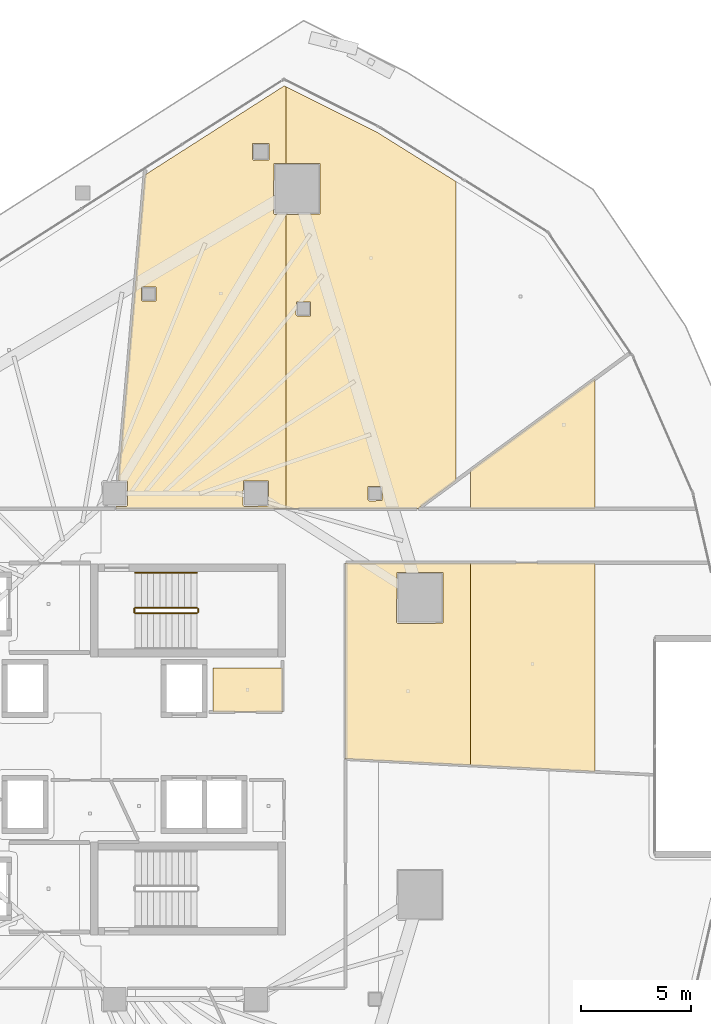
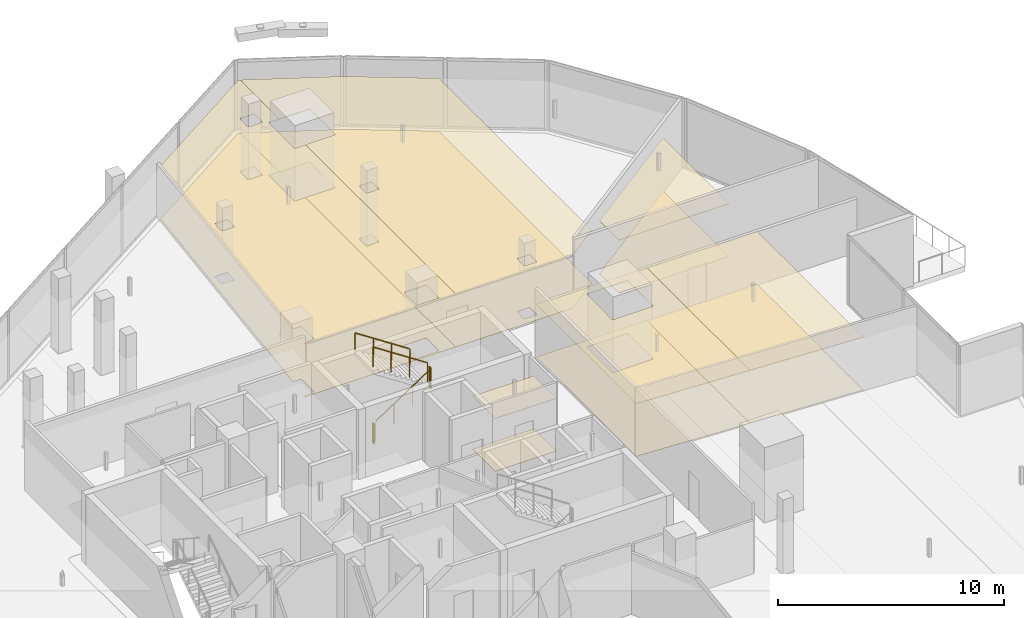
# One storey, part 37 of 38: 12 coverings, 5 railings.
"""IFC4 building model written with IfcOpenShell, lengths in metres."""

from ifc_helpers import new_model, si_unit, direction, frame, origin, origin_2d, place, context, subcontext, project, spatial, polyline, circle, outline, extrude, material, layer, layer_set, type_object, element, save


model = new_model("IFC4")

# Units and contexts
model_context = context("Model", 3, precision=1e-05, world=origin(), true_north=direction((0.0, 1.0)))
body_context = subcontext(model_context, "Body", "Model", "MODEL_VIEW")
ifc_project = project(units=[si_unit("LENGTHUNIT", "METRE"), si_unit("AREAUNIT", "SQUARE_METRE"), si_unit("VOLUMEUNIT", "CUBIC_METRE"), si_unit("PLANEANGLEUNIT", "RADIAN"), si_unit("MASSUNIT", "GRAM", prefix="KILO")], contexts=[model_context])

# Site, building, storey
site_placement = place(None, origin())
site = spatial("IfcSite", under=ifc_project, at=site_placement, CompositionType="ELEMENT")
building_placement = place(site_placement, origin())
building = spatial("IfcBuilding", under=site, at=building_placement, Name="Qorvath Tower", CompositionType="ELEMENT")
storey_placement = place(building_placement, frame((0.0, 0.0, 134.10009765625)))
storey = spatial("IfcBuildingStorey", under=building, at=storey_placement, Name="L30", CompositionType="ELEMENT", Elevation=134.10009765625)

# Coverings
ifc_material_1 = material(Name="Acoustic mineral fibre ceiling tile", Category="gypsum")
ifc_layer_1 = layer(ifc_material_1, 0.030029296875)
ifc_layer_set_1 = layer_set([ifc_layer_1], Name="COV-CEIL")
covering_type_1 = type_object("IfcCoveringType", Name="COV-CEIL", PredefinedType="CEILING", material=ifc_layer_set_1)
covering_1_placement = place(storey_placement, frame((0.0, 0.0, 2.849853515625)))
element("IfcCovering", 1, at=covering_1_placement, inside=storey, type_object=covering_type_1, Name="L30 Suspended Acoustic Ceiling 003", PredefinedType="CEILING", context=body_context, shape_type="SweptSolid", body=[
    extrude(outline(polyline([(-16.0048828125, 3.56005859375), (-19.139892578125, 3.56005859375), (-19.139892578125, 1.56494140625), (-16.0048828125, 1.56494140625), (-16.0048828125, 3.56005859375)])), origin(), (0.0, 0.0, 1.0), 0.030029296875),
])
covering_2_placement = place(storey_placement, frame((0.0, 0.0, 2.849853515625)))
element("IfcCovering", 2, at=covering_2_placement, inside=storey, type_object=covering_type_1, Name="L30 Suspended Acoustic Ceiling 023", PredefinedType="CEILING", context=body_context, shape_type="SweptSolid", body=[
    extrude(outline(polyline([(-7.492431640625, -0.853515625), (-7.492431640625, 8.3076171875), (-13.136962890625, 8.306884765625), (-13.136962890625, -0.56591796875), (-7.492431640625, -0.853515625)]), holes=[polyline([(-10.830322265625, 5.621337890625), (-10.812744140625, 7.86376953125), (-8.727783203125, 7.86376953125), (-8.727783203125, 5.578857421875), (-10.770263671875, 5.561279296875), (-10.830322265625, 5.621337890625)])]), origin(), (0.0, 0.0, 1.0), 0.030029296875),
])
covering_3_placement = place(storey_placement, frame((0.0, 0.0, 2.849853515625)))
element("IfcCovering", 3, at=covering_3_placement, inside=storey, type_object=covering_type_1, Name="L30 Suspended Acoustic Ceiling 024", PredefinedType="CEILING", context=body_context, shape_type="SweptSolid", body=[
    extrude(outline(polyline([(-1.84765625, -1.14111328125), (-1.84765625, 8.308349609375), (-7.492431640625, 8.3076171875), (-7.492431640625, -0.853515625), (-1.84765625, -1.14111328125)])), origin(), (0.0, 0.0, 1.0), 0.030029296875),
])
covering_4_placement = place(storey_placement, frame((0.0, 0.0, 2.849853515625)))
element("IfcCovering", 4, at=covering_4_placement, inside=storey, type_object=covering_type_1, Name="L30 Suspended Acoustic Ceiling 025", PredefinedType="CEILING", context=body_context, shape_type="SweptSolid", body=[
    extrude(outline(polyline([(-1.84765625, 10.762939453125), (-1.84765625, 16.640869140625), (-7.492431640625, 12.49267578125), (-7.492431640625, 10.762939453125), (-1.84765625, 10.762939453125)])), origin(), (0.0, 0.0, 1.0), 0.030029296875),
])
covering_5_placement = place(storey_placement, frame((0.0, 0.0, 2.849853515625)))
element("IfcCovering", 5, at=covering_5_placement, inside=storey, type_object=covering_type_1, Name="L30 Suspended Acoustic Ceiling 026", PredefinedType="CEILING", context=body_context, shape_type="SweptSolid", body=[
    extrude(outline(polyline([(-15.91552734375, 29.914794921875), (-22.222412109375, 25.8837890625), (-23.43408203125, 12.034912109375), (-23.074951171875, 12.034912109375), (-23.014892578125, 11.97509765625), (-23.014892578125, 10.925048828125), (-23.074951171875, 10.864990234375), (-23.536376953125, 10.864990234375), (-23.54541015625, 10.762939453125), (-15.84619140625, 10.762939453125), (-15.84619140625, 24.09033203125), (-16.34423828125, 24.086181640625), (-16.404296875, 24.14599609375), (-16.38671875, 26.388427734375), (-15.84619140625, 26.388427734375), (-15.84619140625, 29.880126953125), (-15.91552734375, 29.914794921875)]), holes=[polyline([(-17.3662109375, 26.604248046875), (-17.3486328125, 27.296630859375), (-16.61376953125, 27.296630859375), (-16.61376953125, 26.561767578125), (-17.30615234375, 26.544189453125), (-17.3662109375, 26.604248046875)]), polyline([(-17.784912109375, 10.925048828125), (-17.767333984375, 12.017333984375), (-16.632568359375, 12.017333984375), (-16.632568359375, 10.882568359375), (-17.72509765625, 10.864990234375), (-17.784912109375, 10.925048828125)]), polyline([(-22.38818359375, 20.219970703125), (-22.37060546875, 20.812255859375), (-21.73583984375, 20.812255859375), (-21.73583984375, 20.177490234375), (-22.328125, 20.159912109375), (-22.38818359375, 20.219970703125)])]), origin(), (0.0, 0.0, 1.0), 0.030029296875),
])
covering_6_placement = place(storey_placement, frame((0.0, 0.0, 2.849853515625)))
element("IfcCovering", 6, at=covering_6_placement, inside=storey, type_object=covering_type_1, Name="L30 Suspended Acoustic Ceiling 027", PredefinedType="CEILING", context=body_context, shape_type="SweptSolid", body=[
    extrude(outline(polyline([(-15.84619140625, 29.880126953125), (-15.84619140625, 26.388427734375), (-14.3017578125, 26.388427734375), (-14.3017578125, 24.103759765625), (-15.84619140625, 24.09033203125), (-15.84619140625, 10.762939453125), (-9.876220703125, 10.762939453125), (-8.147216796875, 12.03369140625), (-8.147216796875, 25.584716796875), (-11.740234375, 27.8271484375), (-15.84619140625, 29.880126953125)]), holes=[polyline([(-12.135009765625, 11.175048828125), (-12.117431640625, 11.767333984375), (-11.482666015625, 11.767333984375), (-11.482666015625, 11.132568359375), (-12.074951171875, 11.114990234375), (-12.135009765625, 11.175048828125)]), polyline([(-15.381103515625, 19.543212890625), (-15.363525390625, 20.135498046875), (-14.728759765625, 20.135498046875), (-14.728759765625, 19.500732421875), (-15.321044921875, 19.483154296875), (-15.381103515625, 19.543212890625)])]), origin(), (0.0, 0.0, 1.0), 0.030029296875),
])
ifc_material_2 = material(Name="Low-VOC modular carpet tile", Category="textile")
ifc_layer_2 = layer(ifc_material_2, 0.014892578125)
ifc_layer_set_2 = layer_set([ifc_layer_2], Name="COV-FLOOR-CPT")
covering_type_2 = type_object("IfcCoveringType", Name="COV-FLOOR-CPT", PredefinedType="FLOORING", material=ifc_layer_set_2)
covering_7_placement = place(storey_placement, origin())
element("IfcCovering", 7, at=covering_7_placement, inside=storey, type_object=covering_type_2, Name="L30 Floor Finish 003", PredefinedType="FLOORING", context=body_context, shape_type="SweptSolid", body=[
    extrude(outline(polyline([(-16.0048828125, 3.56005859375), (-19.139892578125, 3.56005859375), (-19.139892578125, 1.56494140625), (-16.0048828125, 1.56494140625), (-16.0048828125, 3.56005859375)])), origin(), (0.0, 0.0, 1.0), 0.014892578125),
])
covering_8_placement = place(storey_placement, origin())
element("IfcCovering", 8, at=covering_8_placement, inside=storey, type_object=covering_type_2, Name="L30 Floor Finish 023", PredefinedType="FLOORING", context=body_context, shape_type="SweptSolid", body=[
    extrude(outline(polyline([(-7.492431640625, -0.853515625), (-7.492431640625, 8.3076171875), (-13.136962890625, 8.306884765625), (-13.136962890625, -0.56591796875), (-7.492431640625, -0.853515625)]), holes=[polyline([(-10.830322265625, 5.621337890625), (-10.812744140625, 7.86376953125), (-8.727783203125, 7.86376953125), (-8.727783203125, 5.578857421875), (-10.770263671875, 5.561279296875), (-10.830322265625, 5.621337890625)])]), origin(), (0.0, 0.0, 1.0), 0.014892578125),
])
covering_9_placement = place(storey_placement, origin())
element("IfcCovering", 9, at=covering_9_placement, inside=storey, type_object=covering_type_2, Name="L30 Floor Finish 024", PredefinedType="FLOORING", context=body_context, shape_type="SweptSolid", body=[
    extrude(outline(polyline([(-1.84765625, -1.14111328125), (-1.84765625, 8.308349609375), (-7.492431640625, 8.3076171875), (-7.492431640625, -0.853515625), (-1.84765625, -1.14111328125)])), origin(), (0.0, 0.0, 1.0), 0.014892578125),
])
covering_10_placement = place(storey_placement, origin())
element("IfcCovering", 10, at=covering_10_placement, inside=storey, type_object=covering_type_2, Name="L30 Floor Finish 025", PredefinedType="FLOORING", context=body_context, shape_type="SweptSolid", body=[
    extrude(outline(polyline([(-1.84765625, 10.762939453125), (-1.84765625, 16.640869140625), (-7.492431640625, 12.49267578125), (-7.492431640625, 10.762939453125), (-1.84765625, 10.762939453125)])), origin(), (0.0, 0.0, 1.0), 0.014892578125),
])
covering_11_placement = place(storey_placement, origin())
element("IfcCovering", 11, at=covering_11_placement, inside=storey, type_object=covering_type_2, Name="L30 Floor Finish 026", PredefinedType="FLOORING", context=body_context, shape_type="SweptSolid", body=[
    extrude(outline(polyline([(-15.91552734375, 29.914794921875), (-22.222412109375, 25.8837890625), (-23.43408203125, 12.034912109375), (-23.074951171875, 12.034912109375), (-23.014892578125, 11.97509765625), (-23.014892578125, 10.925048828125), (-23.074951171875, 10.864990234375), (-23.536376953125, 10.864990234375), (-23.54541015625, 10.762939453125), (-15.84619140625, 10.762939453125), (-15.84619140625, 24.09033203125), (-16.34423828125, 24.086181640625), (-16.404296875, 24.14599609375), (-16.38671875, 26.388427734375), (-15.84619140625, 26.388427734375), (-15.84619140625, 29.880126953125), (-15.91552734375, 29.914794921875)]), holes=[polyline([(-17.3662109375, 26.604248046875), (-17.3486328125, 27.296630859375), (-16.61376953125, 27.296630859375), (-16.61376953125, 26.561767578125), (-17.30615234375, 26.544189453125), (-17.3662109375, 26.604248046875)]), polyline([(-17.784912109375, 10.925048828125), (-17.767333984375, 12.017333984375), (-16.632568359375, 12.017333984375), (-16.632568359375, 10.882568359375), (-17.72509765625, 10.864990234375), (-17.784912109375, 10.925048828125)]), polyline([(-22.38818359375, 20.219970703125), (-22.37060546875, 20.812255859375), (-21.73583984375, 20.812255859375), (-21.73583984375, 20.177490234375), (-22.328125, 20.159912109375), (-22.38818359375, 20.219970703125)])]), origin(), (0.0, 0.0, 1.0), 0.014892578125),
])
covering_12_placement = place(storey_placement, origin())
element("IfcCovering", 12, at=covering_12_placement, inside=storey, type_object=covering_type_2, Name="L30 Floor Finish 027", PredefinedType="FLOORING", context=body_context, shape_type="SweptSolid", body=[
    extrude(outline(polyline([(-15.84619140625, 29.880126953125), (-15.84619140625, 26.388427734375), (-14.3017578125, 26.388427734375), (-14.3017578125, 24.103759765625), (-15.84619140625, 24.09033203125), (-15.84619140625, 10.762939453125), (-9.876220703125, 10.762939453125), (-8.147216796875, 12.03369140625), (-8.147216796875, 25.584716796875), (-11.740234375, 27.8271484375), (-15.84619140625, 29.880126953125)]), holes=[polyline([(-12.135009765625, 11.175048828125), (-12.117431640625, 11.767333984375), (-11.482666015625, 11.767333984375), (-11.482666015625, 11.132568359375), (-12.074951171875, 11.114990234375), (-12.135009765625, 11.175048828125)]), polyline([(-15.381103515625, 19.543212890625), (-15.363525390625, 20.135498046875), (-14.728759765625, 20.135498046875), (-14.728759765625, 19.500732421875), (-15.321044921875, 19.483154296875), (-15.381103515625, 19.543212890625)])]), origin(), (0.0, 0.0, 1.0), 0.014892578125),
])

# Railings
ifc_material_3 = material(Name="Painted galvanised steel", Category="steel")
railing_type_1 = type_object("IfcRailingType", Name="RL-STR-GRD", PredefinedType="GUARDRAIL", material=ifc_material_3)
railing_1_placement = place(storey_placement, frame((-22.669921875, 6.030029296875, 0.18408203125)))
element("IfcRailing", 13, at=railing_1_placement, inside=storey, type_object=railing_type_1, Name="L30 TS1 stair guard 1", PredefinedType="GUARDRAIL", context=body_context, shape_type="SweptSolid", body=[
    extrude(circle(Radius=0.02392578125, at=origin_2d()), frame((0.0, 0.0, 1.076171875), z_axis=(0.835575518608, 0.0, 0.549375602573), x_axis=(0.0, 1.0, 0.0)), (0.0, 0.0, 1.0), 3.350830078125),
    extrude(circle(Radius=0.02099609375, at=origin_2d()), origin(), (0.0, 0.0, 1.0), 1.052001953125),
    extrude(circle(Radius=0.02099609375, at=origin_2d()), frame((0.933349609375, 0.0, 0.613525390625)), (0.0, 0.0, 1.0), 1.052001953125),
    extrude(circle(Radius=0.02099609375, at=origin_2d()), frame((1.866455078125, 0.0, 1.227294921875)), (0.0, 0.0, 1.0), 1.052001953125),
    extrude(circle(Radius=0.02099609375, at=origin_2d()), frame((2.7998046875, 0.0, 1.8408203125)), (0.0, 0.0, 1.0), 1.052001953125),
])
railing_2_placement = place(storey_placement, frame((-19.820068359375, 6.080078125, 2.02490234375)))
element("IfcRailing", 14, at=railing_2_placement, inside=storey, type_object=railing_type_1, Name="L30 TS1 stair guard 2", PredefinedType="GUARDRAIL", context=body_context, shape_type="SweptSolid", body=[
    extrude(circle(Radius=0.02392578125, at=origin_2d()), frame((0.0, 0.0, 1.076171875), z_axis=(0.0, 1.0, 0.0), x_axis=(-1.0, 0.0, 0.0)), (0.0, 0.0, 1.0), 0.14990234375),
    extrude(circle(Radius=0.02099609375, at=origin_2d()), origin(), (0.0, 0.0, 1.0), 1.052001953125),
    extrude(circle(Radius=0.02099609375, at=origin_2d()), frame((0.0, 0.14990234375, 0.0)), (0.0, 0.0, 1.0), 1.052001953125),
])
railing_3_placement = place(storey_placement, frame((-19.8701171875, 6.280029296875, 2.208984375)))
element("IfcRailing", 15, at=railing_3_placement, inside=storey, type_object=railing_type_1, Name="L30 TS1 stair guard 3", PredefinedType="GUARDRAIL", context=body_context, shape_type="SweptSolid", body=[
    extrude(circle(Radius=0.02392578125, at=origin_2d()), frame((0.0, 0.0, 1.076171875), z_axis=(-0.835575518608, 0.0, 0.549375602573), x_axis=(0.0, -1.0, 0.0)), (0.0, 0.0, 1.0), 3.350830078125),
    extrude(circle(Radius=0.02099609375, at=origin_2d()), origin(), (0.0, 0.0, 1.0), 1.052001953125),
    extrude(circle(Radius=0.02099609375, at=origin_2d()), frame((-0.933349609375, 0.0, 0.613525390625)), (0.0, 0.0, 1.0), 1.052001953125),
    extrude(circle(Radius=0.02099609375, at=origin_2d()), frame((-1.866455078125, 0.0, 1.227294921875)), (0.0, 0.0, 1.0), 1.052001953125),
    extrude(circle(Radius=0.02099609375, at=origin_2d()), frame((-2.7998046875, 0.0, 1.8408203125)), (0.0, 0.0, 1.0), 1.052001953125),
])
railing_4_placement = place(storey_placement, frame((-22.719970703125, 6.080078125, 0.0)))
element("IfcRailing", 16, at=railing_4_placement, inside=storey, type_object=railing_type_1, Name="L30 TS1 stair guard 4", PredefinedType="GUARDRAIL", context=body_context, shape_type="SweptSolid", body=[
    extrude(circle(Radius=0.02392578125, at=origin_2d()), frame((0.0, 0.0, 1.076171875), z_axis=(0.0, 1.0, 0.0), x_axis=(-1.0, 0.0, 0.0)), (0.0, 0.0, 1.0), 0.14990234375),
    extrude(circle(Radius=0.02099609375, at=origin_2d()), origin(), (0.0, 0.0, 1.0), 1.052001953125),
    extrude(circle(Radius=0.02099609375, at=origin_2d()), frame((0.0, 0.14990234375, 0.0)), (0.0, 0.0, 1.0), 1.052001953125),
])
ifc_material_4 = material(Name="Brushed stainless steel AISI 304", Category="steel")
railing_type_2 = type_object("IfcRailingType", Name="RL-STR-HND", PredefinedType="HANDRAIL", material=ifc_material_4)
railing_5_placement = place(storey_placement, frame((-19.8701171875, 7.860107421875, 2.208984375)))
element("IfcRailing", 17, at=railing_5_placement, inside=storey, type_object=railing_type_2, Name="L30 TS1 stair handrail 2", PredefinedType="HANDRAIL", context=body_context, shape_type="SweptSolid", body=[
    extrude(circle(Radius=0.02392578125, at=origin_2d()), frame((0.0, 0.0, 0.8759765625), z_axis=(-0.835575518608, 0.0, 0.549375602573), x_axis=(0.0, -1.0, 0.0)), (0.0, 0.0, 1.0), 3.350830078125),
    extrude(circle(Radius=0.02099609375, at=origin_2d()), origin(), (0.0, 0.0, 1.0), 0.851806640625),
    extrude(circle(Radius=0.02099609375, at=origin_2d()), frame((-0.933349609375, 0.0, 0.613525390625)), (0.0, 0.0, 1.0), 0.851806640625),
    extrude(circle(Radius=0.02099609375, at=origin_2d()), frame((-1.866455078125, 0.0, 1.227294921875)), (0.0, 0.0, 1.0), 0.851806640625),
    extrude(circle(Radius=0.02099609375, at=origin_2d()), frame((-2.7998046875, 0.0, 1.8408203125)), (0.0, 0.0, 1.0), 0.851806640625),
])

save(model, "model.ifc")
